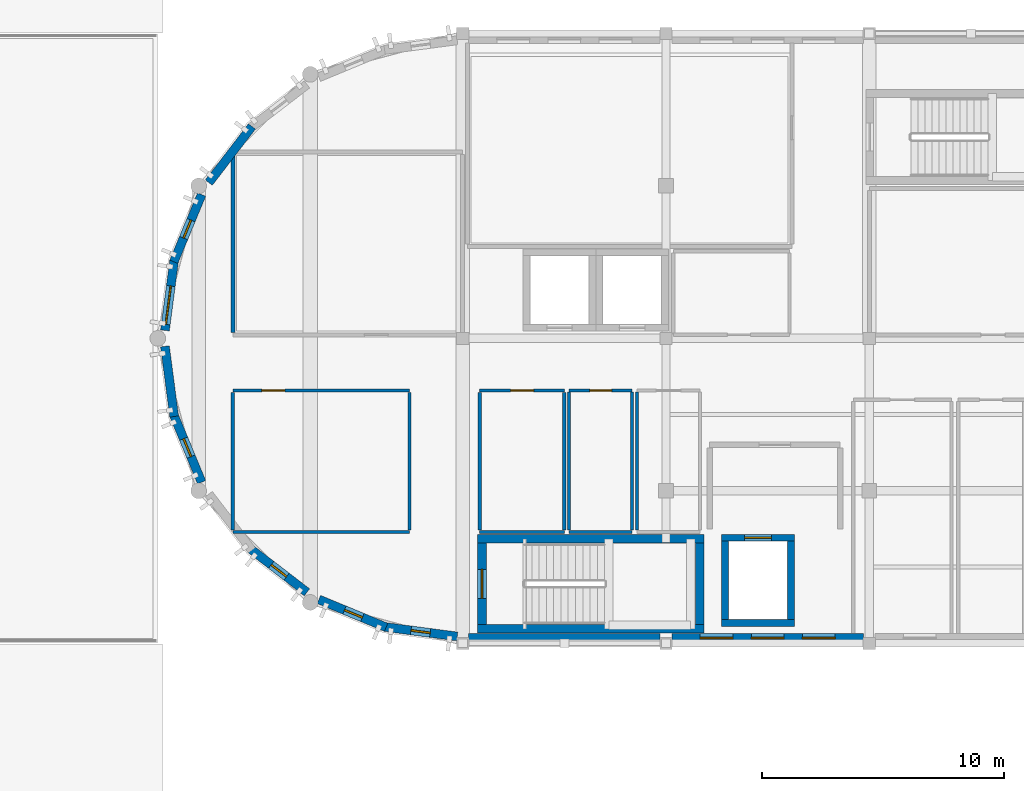
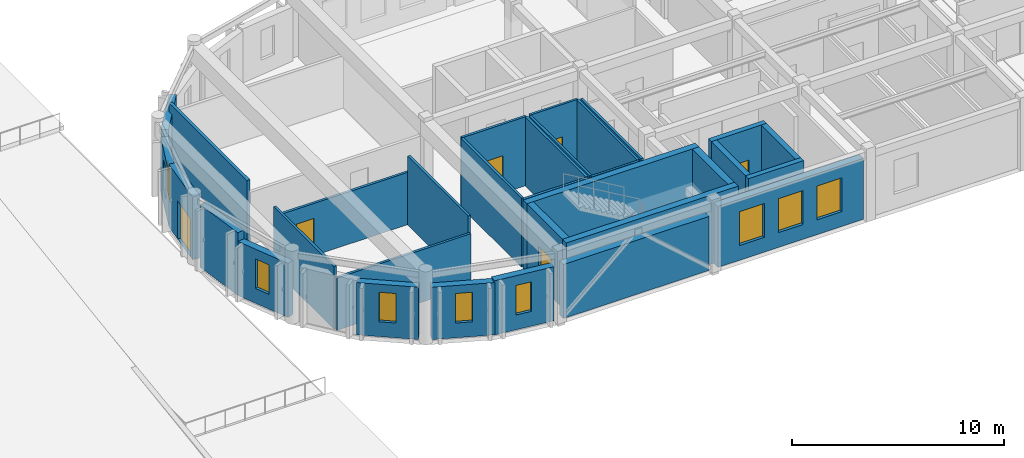
# One storey, part 3 of 12: 32 walls, 8 windows, 6 doors, 14 openings.
"""IFC4 building model written with IfcOpenShell, lengths in metres."""

from ifc_helpers import new_model, si_unit, direction, frame, frame_2d, origin, place, context, subcontext, project, spatial, rectangle, extrude, material, layer, layer_set, type_object, element, fill, save


model = new_model("IFC4")

# Units and contexts
model_context = context("Model", 3, precision=1e-05, world=origin(), true_north=direction((0.0, 1.0)))
body_context = subcontext(model_context, "Body", "Model", "MODEL_VIEW")
ifc_project = project(units=[si_unit("LENGTHUNIT", "METRE"), si_unit("AREAUNIT", "SQUARE_METRE"), si_unit("VOLUMEUNIT", "CUBIC_METRE"), si_unit("PLANEANGLEUNIT", "RADIAN"), si_unit("MASSUNIT", "GRAM", prefix="KILO")], contexts=[model_context])

# Site, building, storey
site_placement = place(None, origin())
site = spatial("IfcSite", under=ifc_project, at=site_placement, CompositionType="ELEMENT")
building_placement = place(site_placement, origin())
building = spatial("IfcBuilding", under=site, at=building_placement, Name="Tarnavel Promenade Courthouse", CompositionType="ELEMENT")
storey_placement = place(building_placement, frame((0.0, 0.0, 27.0)))
storey = spatial("IfcBuildingStorey", under=building, at=storey_placement, Name="L07", CompositionType="ELEMENT", Elevation=27.0)

# Wall
ifc_material_1 = material(Name="Acoustic Insulated Gypsum Stud Partition", Category="gypsum")
ifc_layer_1 = layer(ifc_material_1, 0.1650390625)
ifc_layer_set_1 = layer_set([ifc_layer_1], Name="Acoustic Insulated Gypsum Stud Partition")
wall_type_1 = type_object("IfcWallType", Name="Acoustic Insulated Gypsum Stud Partition WL-CHM-165 (165 mm)", PredefinedType="PARTITIONING", material=ifc_layer_set_1)
wall_1_placement = place(storey_placement, frame((49.300048828125, 92.04248046875, 0.0), z_axis=(0.0, 0.0, 1.0), x_axis=(0.0, 1.0, 0.0)))
element("IfcWall", 1, at=wall_1_placement, inside=storey, type_object=wall_type_1, Name="L07 L07 West Drum Rotunda Chambers North Partition 0900", PredefinedType="PARTITIONING", context=body_context, shape_type="SweptSolid", body=[
    extrude(rectangle(XDim=7.364990234375, YDim=0.1650390625, at=frame_2d((3.6826171875, 0.0))), origin(), (0.0, 0.0, 1.0), 3.610107421875),
])

# Wall, opening, door
ifc_material_2 = material(Name="Concrete C40/50", Category="concrete")
ifc_layer_2 = layer(ifc_material_2, 0.280029296875)
ifc_layer_set_2 = layer_set([ifc_layer_2], Name="Concrete C40/50")
wall_type_2 = type_object("IfcWallType", Name="Concrete C40/50 WL-SHR-280 (280 mm)", PredefinedType="SHEAR", material=ifc_layer_set_2)
wall_2_placement = place(storey_placement, frame((69.5, 83.56005859375, 0.0), z_axis=(0.0, 0.0, 1.0), x_axis=(1.0, 0.0, 0.0)))
wall_2 = element("IfcWall", 2, at=wall_2_placement, inside=storey, type_object=wall_type_2, Name="L07 L-FF1 Lift Shaft North Wall", PredefinedType="SHEAR", context=body_context, shape_type="SweptSolid", body=[
    extrude(rectangle(XDim=3.0, YDim=0.280029296875, at=frame_2d((1.5, 0.0))), origin(), (0.0, 0.0, 1.0), 3.97998046875),
])
opening_1_placement = place(wall_2_placement, frame((0.949951171875, 0.0, 0.0)))
opening_1 = element("IfcOpeningElement", 3, at=opening_1_placement, cuts=wall_2, Name="Opening LD-01", PredefinedType="OPENING", context=body_context, shape_type="SweptSolid", body=[
    extrude(rectangle(XDim=1.10009765625, YDim=2.199951171875, at=frame_2d((0.550048828125, 1.10009765625))), frame((0.0, 0.14990234375, 0.0), z_axis=(0.0, -1.0, 0.0), x_axis=(1.0, 0.0, 0.0)), (0.0, 0.0, 1.0), 0.300048828125),
])
ifc_material_3 = material(Name="Stainless Steel Firefighting Lift Landing Sliding Door", Category="steel")
door_type_1 = type_object("IfcDoorType", Name="Stainless Steel Firefighting Lift Landing Sliding Door (LD-FF-1100x2200)", OperationType="NOTDEFINED", PredefinedType="DOOR", material=ifc_material_3)
door_1_placement = place(opening_1_placement, origin())
door_1 = element("IfcDoor", 4, at=door_1_placement, inside=storey, type_object=door_type_1, Name="L07 L-FF1 Lift Sliding Landing Door", OperationType="DOUBLE_DOOR_SLIDING", OverallHeight=2.199951171875, OverallWidth=1.10009765625, PredefinedType="DOOR", context=body_context, shape_type="SweptSolid", body=[
    extrude(rectangle(XDim=1.10009765625, YDim=2.199951171875, at=frame_2d((0.550048828125, 1.10009765625))), frame((0.0, 0.02490234375, 0.0), z_axis=(0.0, -1.0, 0.0), x_axis=(1.0, 0.0, 0.0)), (0.0, 0.0, 1.0), 0.050048828125),
])
fill(opening_1, door_1)

# Walls
wall_3_placement = place(storey_placement, frame((72.5, 80.0400390625, 0.0), z_axis=(0.0, 0.0, 1.0), x_axis=(-1.0, 0.0, 0.0)))
element("IfcWall", 5, at=wall_3_placement, inside=storey, type_object=wall_type_2, Name="L07 L-FF1 Lift Shaft South Wall", PredefinedType="SHEAR", context=body_context, shape_type="SweptSolid", body=[
    extrude(rectangle(XDim=3.0, YDim=0.280029296875, at=frame_2d((1.5, 0.0))), origin(), (0.0, 0.0, 1.0), 3.97998046875),
])
for number, where, z_axis, x_axis, name in (
    (6, (69.639892578125, 80.179931640625, 0.0), (0.0, 0.0, 1.0), (0.0, 1.0, 0.0), "L07 L-FF1 Lift Shaft West Wall"),
    (7, (72.360107421875, 83.419921875, 0.0), (0.0, 0.0, 1.0), (0.0, -1.0, 0.0), "L07 L-FF1 Lift Shaft East Wall"),
):
    element("IfcWall", number, at=place(storey_placement, frame(where, z_axis=z_axis, x_axis=x_axis)), inside=storey, type_object=wall_type_2, Name=name, PredefinedType="SHEAR", context=body_context, shape_type="SweptSolid", body=[
        extrude(rectangle(XDim=3.239990234375, YDim=0.280029296875, at=frame_2d((1.6201171875, 0.0))), origin(), (0.0, 0.0, 1.0), 3.97998046875),
    ])
ifc_layer_3 = layer(ifc_material_2, 0.360107421875)
ifc_layer_set_3 = layer_set([ifc_layer_3], Name="Concrete C40/50")
wall_type_3 = type_object("IfcWallType", Name="Concrete C40/50 WL-SHR-360 (360 mm)", PredefinedType="SHEAR", material=ifc_layer_set_3)
for number, where, z_axis, x_axis, name in (
    (8, (59.419921875, 83.52001953125, 0.0), (0.0, 0.0, 1.0), (1.0, 0.0, 0.0), "L07 ST-01 Shear Core North Wall"),
    (9, (68.780029296875, 79.800048828125, 0.0), (0.0, 0.0, 1.0), (-1.0, 0.0, 0.0), "L07 ST-01 Shear Core South Wall"),
):
    element("IfcWall", number, at=place(storey_placement, frame(where, z_axis=z_axis, x_axis=x_axis)), inside=storey, type_object=wall_type_3, Name=name, PredefinedType="SHEAR", context=body_context, shape_type="SweptSolid", body=[
        extrude(rectangle(XDim=9.360107421875, YDim=0.360107421875, at=frame_2d((4.68017578125, 0.0))), origin(), (0.0, 0.0, 1.0), 3.97998046875),
    ])

# Wall, opening, door
wall_4_placement = place(storey_placement, frame((59.60009765625, 79.97998046875, 0.0), z_axis=(0.0, 0.0, 1.0), x_axis=(0.0, 1.0, 0.0)))
wall_4 = element("IfcWall", 10, at=wall_4_placement, inside=storey, type_object=wall_type_3, Name="L07 ST-01 Shear Core West Landing Wall", PredefinedType="SHEAR", context=body_context, shape_type="SweptSolid", body=[
    extrude(rectangle(XDim=3.360107421875, YDim=0.360107421875, at=frame_2d((1.68017578125, 0.0))), origin(), (0.0, 0.0, 1.0), 3.97998046875),
])
opening_2_placement = place(wall_4_placement, frame((1.080078125, 0.0, 0.0)))
opening_2 = element("IfcOpeningElement", 11, at=opening_2_placement, cuts=wall_4, Name="Opening FD-02", PredefinedType="OPENING", context=body_context, shape_type="SweptSolid", body=[
    extrude(rectangle(XDim=1.199951171875, YDim=2.199951171875, at=frame_2d((0.60009765625, 1.10009765625))), frame((0.0, 0.18994140625, 0.0), z_axis=(0.0, -1.0, 0.0), x_axis=(1.0, 0.0, 0.0)), (0.0, 0.0, 1.0), 0.380126953125),
])
ifc_material_4 = material(Name="Steel Fire-Rated Firefighting Stair Door", Category="steel")
door_type_2 = type_object("IfcDoorType", Name="Steel Fire-Rated Firefighting Stair Door (DR-ST-1200x2200)", OperationType="NOTDEFINED", PredefinedType="DOOR", material=ifc_material_4)
door_2_placement = place(opening_2_placement, origin())
door_2 = element("IfcDoor", 12, at=door_2_placement, inside=storey, type_object=door_type_2, Name="L07 ST-01 Protected Exit Stair Door", OperationType="SINGLE_SWING_LEFT", OverallHeight=2.199951171875, OverallWidth=1.199951171875, PredefinedType="DOOR", context=body_context, shape_type="SweptSolid", body=[
    extrude(rectangle(XDim=1.199951171875, YDim=2.199951171875, at=frame_2d((0.60009765625, 1.10009765625))), frame((0.0, 0.02490234375, 0.0), z_axis=(0.0, -1.0, 0.0), x_axis=(1.0, 0.0, 0.0)), (0.0, 0.0, 1.0), 0.050048828125),
])
fill(opening_2, door_2)

# Walls
wall_5_placement = place(storey_placement, frame((68.60009765625, 83.340087890625, 0.0), z_axis=(0.0, 0.0, 1.0), x_axis=(0.0, -1.0, 0.0)))
element("IfcWall", 13, at=wall_5_placement, inside=storey, type_object=wall_type_3, Name="L07 ST-01 Shear Core East Wall", PredefinedType="SHEAR", context=body_context, shape_type="SweptSolid", body=[
    extrude(rectangle(XDim=3.360107421875, YDim=0.360107421875, at=frame_2d((1.68017578125, 0.0))), origin(), (0.0, 0.0, 1.0), 3.97998046875),
])
ifc_material_5 = material(Name="Cream Brick Insulated Cavity Facade Assembly", Category="masonry")
ifc_layer_4 = layer(ifc_material_5, 0.3798828125)
ifc_layer_set_4 = layer_set([ifc_layer_4], Name="Cream Brick Insulated Cavity Facade Assembly")
wall_type_4 = type_object("IfcWallType", Name="Cream Brick Insulated Cavity Facade Assembly WL-EXT-380 (380 mm)", PredefinedType="STANDARD", material=ifc_layer_set_4)
wall_6_placement = place(storey_placement, frame((66.9580078125, 79.419921875, 0.0), z_axis=(0.0, 0.0, 1.0), x_axis=(-1.0, 0.0, 0.0)))
element("IfcWall", 14, at=wall_6_placement, inside=storey, type_object=wall_type_4, Name="L07 Bar South Limestone Facade 0175", PredefinedType="STANDARD", context=body_context, shape_type="SweptSolid", body=[
    extrude(rectangle(XDim=7.9208984375, YDim=0.3798828125, at=frame_2d((3.96044921875, 0.0))), origin(), (0.0, 0.0, 1.0), 3.110107421875),
])

# Wall, openings, windows
wall_7_placement = place(storey_placement, frame((75.35791015625, 79.419921875, 0.0), z_axis=(0.0, 0.0, 1.0), x_axis=(-1.0, 0.0, 0.0)))
wall_7 = element("IfcWall", 15, at=wall_7_placement, inside=storey, type_object=wall_type_4, Name="L07 Bar South Limestone Facade 0176", PredefinedType="STANDARD", context=body_context, shape_type="SweptSolid", body=[
    extrude(rectangle(XDim=7.916015625, YDim=0.3798828125, at=frame_2d((3.9580078125, 0.0))), origin(), (0.0, 0.0, 1.0), 3.510009765625),
])
opening_3_placement = place(wall_7_placement, frame((1.169677734375, 0.0, 0.85009765625)))
opening_3 = element("IfcOpeningElement", 16, at=opening_3_placement, cuts=wall_7, Name="Opening W-04", PredefinedType="OPENING", context=body_context, shape_type="SweptSolid", body=[
    extrude(rectangle(XDim=1.35009765625, YDim=1.949951171875, at=frame_2d((0.675048828125, 0.97509765625))), frame((0.0, 0.199951171875, 0.0), z_axis=(0.0, -1.0, 0.0), x_axis=(1.0, 0.0, 0.0)), (0.0, 0.0, 1.0), 0.39990234375),
])
opening_4_placement = place(wall_7_placement, frame((3.282958984375, 0.0, 0.85009765625)))
opening_4 = element("IfcOpeningElement", 17, at=opening_4_placement, cuts=wall_7, Name="Opening W-04", PredefinedType="OPENING", context=body_context, shape_type="SweptSolid", body=[
    extrude(rectangle(XDim=1.35009765625, YDim=1.949951171875, at=frame_2d((0.675048828125, 0.97509765625))), frame((0.0, 0.199951171875, 0.0), z_axis=(0.0, -1.0, 0.0), x_axis=(1.0, 0.0, 0.0)), (0.0, 0.0, 1.0), 0.39990234375),
])
opening_5_placement = place(wall_7_placement, frame((5.396240234375, 0.0, 0.85009765625)))
opening_5 = element("IfcOpeningElement", 18, at=opening_5_placement, cuts=wall_7, Name="Opening W-04", PredefinedType="OPENING", context=body_context, shape_type="SweptSolid", body=[
    extrude(rectangle(XDim=1.35009765625, YDim=1.949951171875, at=frame_2d((0.675048828125, 0.97509765625))), frame((0.0, 0.199951171875, 0.0), z_axis=(0.0, -1.0, 0.0), x_axis=(1.0, 0.0, 0.0)), (0.0, 0.0, 1.0), 0.39990234375),
])
ifc_material_6 = material(Name="Triple Low-E Glazed Bronze-Clad Window Assembly")
window_type_1 = type_object("IfcWindowType", Name="Triple-Glazed Bronze-Clad Timber-Aluminium WIN-CHM-1350x1950", PartitioningType="SINGLE_PANEL", PredefinedType="WINDOW", material=ifc_material_6)
window_1_placement = place(opening_3_placement, origin())
window_1 = element("IfcWindow", 19, at=window_1_placement, inside=storey, type_object=window_type_1, Name="L07 Exterior Window 0143", OverallHeight=1.949951171875, OverallWidth=1.35009765625, PartitioningType="SINGLE_PANEL", PredefinedType="WINDOW", context=body_context, shape_type="SweptSolid", body=[
    extrude(rectangle(XDim=1.35009765625, YDim=1.949951171875, at=frame_2d((0.675048828125, 0.97509765625))), frame((0.0, 0.030029296875, 0.0), z_axis=(0.0, -1.0, 0.0), x_axis=(1.0, 0.0, 0.0)), (0.0, 0.0, 1.0), 0.06005859375),
])
fill(opening_3, window_1)
window_2_placement = place(opening_4_placement, origin())
window_2 = element("IfcWindow", 20, at=window_2_placement, inside=storey, type_object=window_type_1, Name="L07 Exterior Window 0144", OverallHeight=1.949951171875, OverallWidth=1.35009765625, PartitioningType="SINGLE_PANEL", PredefinedType="WINDOW", context=body_context, shape_type="SweptSolid", body=[
    extrude(rectangle(XDim=1.35009765625, YDim=1.949951171875, at=frame_2d((0.675048828125, 0.97509765625))), frame((0.0, 0.030029296875, 0.0), z_axis=(0.0, -1.0, 0.0), x_axis=(1.0, 0.0, 0.0)), (0.0, 0.0, 1.0), 0.06005859375),
])
fill(opening_4, window_2)
window_3_placement = place(opening_5_placement, origin())
window_3 = element("IfcWindow", 21, at=window_3_placement, inside=storey, type_object=window_type_1, Name="L07 Exterior Window 0145", OverallHeight=1.949951171875, OverallWidth=1.35009765625, PartitioningType="SINGLE_PANEL", PredefinedType="WINDOW", context=body_context, shape_type="SweptSolid", body=[
    extrude(rectangle(XDim=1.35009765625, YDim=1.949951171875, at=frame_2d((0.675048828125, 0.97509765625))), frame((0.0, 0.030029296875, 0.0), z_axis=(0.0, -1.0, 0.0), x_axis=(1.0, 0.0, 0.0)), (0.0, 0.0, 1.0), 0.06005859375),
])
fill(opening_5, window_3)

# Wall, opening, door
ifc_material_7 = material(Name="Metal-Stud Acoustic Gypsum Partition", Category="gypsum")
ifc_layer_5 = layer(ifc_material_7, 0.135009765625)
ifc_layer_set_5 = layer_set([ifc_layer_5], Name="Metal-Stud Acoustic Gypsum Partition")
wall_type_5 = type_object("IfcWallType", Name="Metal-Stud Acoustic Gypsum Partition WL-OFF-135 (135 mm)", PredefinedType="PARTITIONING", material=ifc_layer_set_5)
wall_8_placement = place(storey_placement, frame((59.5, 89.64990234375, 0.0), z_axis=(0.0, 0.0, 1.0), x_axis=(1.0, 0.0, 0.0)))
wall_8 = element("IfcWall", 22, at=wall_8_placement, inside=storey, type_object=wall_type_5, Name="L07 L07 Bailiffs' Duty Room Partition 0864", PredefinedType="PARTITIONING", context=body_context, shape_type="SweptSolid", body=[
    extrude(rectangle(XDim=3.5, YDim=0.135009765625, at=frame_2d((1.75, 0.0))), origin(), (0.0, 0.0, 1.0), 3.965087890625),
])
opening_6_placement = place(wall_8_placement, frame((1.27490234375, 0.0, 0.0)))
opening_6 = element("IfcOpeningElement", 23, at=opening_6_placement, cuts=wall_8, Name="Opening ID-06", PredefinedType="OPENING", context=body_context, shape_type="SweptSolid", body=[
    extrude(rectangle(XDim=0.949951171875, YDim=2.14990234375, at=frame_2d((0.47509765625, 1.074951171875))), frame((0.0, 0.077392578125, 0.0), z_axis=(0.0, -1.0, 0.0), x_axis=(1.0, 0.0, 0.0)), (0.0, 0.0, 1.0), 0.155029296875),
])
ifc_material_8 = material(Name="Acoustic Timber Veneer Office Door", Category="wood")
door_type_3 = type_object("IfcDoorType", Name="Acoustic Timber Veneer Office Door (DR-OFF-0950x2150)", OperationType="NOTDEFINED", PredefinedType="DOOR", material=ifc_material_8)
door_3_placement = place(opening_6_placement, origin())
door_3 = element("IfcDoor", 24, at=door_3_placement, inside=storey, type_object=door_type_3, Name="L07 L07 Bailiffs' Duty Room Door 0247", OperationType="SINGLE_SWING_RIGHT", OverallHeight=2.14990234375, OverallWidth=0.949951171875, PredefinedType="DOOR", context=body_context, shape_type="SweptSolid", body=[
    extrude(rectangle(XDim=0.949951171875, YDim=2.14990234375, at=frame_2d((0.47509765625, 1.074951171875))), frame((0.0, 0.02490234375, 0.0), z_axis=(0.0, -1.0, 0.0), x_axis=(1.0, 0.0, 0.0)), (0.0, 0.0, 1.0), 0.050048828125),
])
fill(opening_6, door_3)

# Walls
wall_9_placement = place(storey_placement, frame((63.0, 83.800048828125, 0.0), z_axis=(0.0, 0.0, 1.0), x_axis=(-1.0, 0.0, 0.0)))
element("IfcWall", 25, at=wall_9_placement, inside=storey, type_object=wall_type_5, Name="L07 L07 Bailiffs' Duty Room Partition 0865", PredefinedType="PARTITIONING", context=body_context, shape_type="SweptSolid", body=[
    extrude(rectangle(XDim=3.5, YDim=0.135009765625, at=frame_2d((1.75, 0.0))), origin(), (0.0, 0.0, 1.0), 3.965087890625),
])
for number, where, z_axis, x_axis, name in (
    (26, (59.5, 83.87744140625, 0.0), (0.0, 0.0, 1.0), (0.0, 1.0, 0.0), "L07 L07 Bailiffs' Duty Room Partition 0866"),
    (27, (63.0, 89.572509765625, 0.0), (0.0, 0.0, 1.0), (0.0, -1.0, 0.0), "L07 L07 Bailiffs' Duty Room Partition 0867"),
):
    element("IfcWall", number, at=place(storey_placement, frame(where, z_axis=z_axis, x_axis=x_axis)), inside=storey, type_object=wall_type_5, Name=name, PredefinedType="PARTITIONING", context=body_context, shape_type="SweptSolid", body=[
        extrude(rectangle(XDim=5.695068359375, YDim=0.135009765625, at=frame_2d((2.84765625, 0.0))), origin(), (0.0, 0.0, 1.0), 3.965087890625),
    ])

# Wall, opening, door
wall_10_placement = place(storey_placement, frame((49.300048828125, 89.64990234375, 0.0), z_axis=(0.0, 0.0, 1.0), x_axis=(1.0, 0.0, 0.0)))
wall_10 = element("IfcWall", 28, at=wall_10_placement, inside=storey, type_object=wall_type_5, Name="L07 L07 West Drum Rotunda Salon South Partition 0902", PredefinedType="PARTITIONING", context=body_context, shape_type="SweptSolid", body=[
    extrude(rectangle(XDim=7.300048828125, YDim=0.135009765625, at=frame_2d((3.64990234375, 0.0))), origin(), (0.0, 0.0, 1.0), 3.010009765625),
])
opening_7_placement = place(wall_10_placement, frame((1.197509765625, 0.0, 0.0)))
opening_7 = element("IfcOpeningElement", 29, at=opening_7_placement, cuts=wall_10, Name="Opening ID-06", PredefinedType="OPENING", context=body_context, shape_type="SweptSolid", body=[
    extrude(rectangle(XDim=0.949951171875, YDim=2.14990234375, at=frame_2d((0.47509765625, 1.074951171875))), frame((0.0, 0.077392578125, 0.0), z_axis=(0.0, -1.0, 0.0), x_axis=(1.0, 0.0, 0.0)), (0.0, 0.0, 1.0), 0.155029296875),
])
door_4_placement = place(opening_7_placement, origin())
door_4 = element("IfcDoor", 30, at=door_4_placement, inside=storey, type_object=door_type_3, Name="L07 L07 West Drum Rotunda Salon South Door 0258", OperationType="SINGLE_SWING_LEFT", OverallHeight=2.14990234375, OverallWidth=0.949951171875, PredefinedType="DOOR", context=body_context, shape_type="SweptSolid", body=[
    extrude(rectangle(XDim=0.949951171875, YDim=2.14990234375, at=frame_2d((0.47509765625, 1.074951171875))), frame((0.0, 0.02490234375, 0.0), z_axis=(0.0, -1.0, 0.0), x_axis=(1.0, 0.0, 0.0)), (0.0, 0.0, 1.0), 0.050048828125),
])
fill(opening_7, door_4)

# Walls
wall_11_placement = place(storey_placement, frame((56.60009765625, 83.800048828125, 0.0), z_axis=(0.0, 0.0, 1.0), x_axis=(-1.0, 0.0, 0.0)))
element("IfcWall", 31, at=wall_11_placement, inside=storey, type_object=wall_type_5, Name="L07 L07 West Drum Rotunda Salon South Partition 0903", PredefinedType="PARTITIONING", context=body_context, shape_type="SweptSolid", body=[
    extrude(rectangle(XDim=7.300048828125, YDim=0.135009765625, at=frame_2d((3.64990234375, 0.0))), origin(), (0.0, 0.0, 1.0), 3.010009765625),
])
wall_12_placement = place(storey_placement, frame((49.300048828125, 83.87744140625, 0.0), z_axis=(0.0, 0.0, 1.0), x_axis=(0.0, 1.0, 0.0)))
element("IfcWall", 32, at=wall_12_placement, inside=storey, type_object=wall_type_5, Name="L07 L07 West Drum Rotunda Salon South Partition 0904", PredefinedType="PARTITIONING", context=body_context, shape_type="SweptSolid", body=[
    extrude(rectangle(XDim=5.695068359375, YDim=0.135009765625, at=frame_2d((2.84765625, 0.0))), origin(), (0.0, 0.0, 1.0), 3.610107421875),
])
wall_13_placement = place(storey_placement, frame((56.60009765625, 89.572509765625, 0.0), z_axis=(0.0, 0.0, 1.0), x_axis=(0.0, -1.0, 0.0)))
element("IfcWall", 33, at=wall_13_placement, inside=storey, type_object=wall_type_5, Name="L07 L07 West Drum Rotunda Salon South Partition 0905", PredefinedType="PARTITIONING", context=body_context, shape_type="SweptSolid", body=[
    extrude(rectangle(XDim=5.695068359375, YDim=0.135009765625, at=frame_2d((2.84765625, 0.0))), origin(), (0.0, 0.0, 1.0), 3.965087890625),
])

# Wall, opening, door
ifc_material_9 = material(Name="Moisture-Resistant Tile-Backed Stud Partition", Category="gypsum")
ifc_layer_6 = layer(ifc_material_9, 0.125)
ifc_layer_set_6 = layer_set([ifc_layer_6], Name="Moisture-Resistant Tile-Backed Stud Partition")
wall_type_6 = type_object("IfcWallType", Name="Moisture-Resistant Tile-Backed Stud Partition WL-WET-125 (125 mm)", PredefinedType="PARTITIONING", material=ifc_layer_set_6)
wall_14_placement = place(storey_placement, frame((63.199951171875, 89.64990234375, 0.0), z_axis=(0.0, 0.0, 1.0), x_axis=(1.0, 0.0, 0.0)))
wall_14 = element("IfcWall", 34, at=wall_14_placement, inside=storey, type_object=wall_type_6, Name="L07 Public WC Partition 0848", PredefinedType="PARTITIONING", context=body_context, shape_type="SweptSolid", body=[
    extrude(rectangle(XDim=2.60009765625, YDim=0.125, at=frame_2d((1.300048828125, 0.0))), origin(), (0.0, 0.0, 1.0), 3.965087890625),
])
opening_8_placement = place(wall_14_placement, frame((0.85009765625, 0.0, 0.0)))
opening_8 = element("IfcOpeningElement", 35, at=opening_8_placement, cuts=wall_14, Name="Opening ID-08", PredefinedType="OPENING", context=body_context, shape_type="SweptSolid", body=[
    extrude(rectangle(XDim=0.89990234375, YDim=2.10009765625, at=frame_2d((0.449951171875, 1.050048828125))), frame((0.0, 0.072509765625, 0.0), z_axis=(0.0, -1.0, 0.0), x_axis=(1.0, 0.0, 0.0)), (0.0, 0.0, 1.0), 0.14501953125),
])
ifc_material_10 = material(Name="Moisture-Resistant Laminate Restroom Door")
door_type_4 = type_object("IfcDoorType", Name="Moisture-Resistant Laminate Restroom Door (DR-WC-0900x2100)", OperationType="NOTDEFINED", PredefinedType="DOOR", material=ifc_material_10)
door_5_placement = place(opening_8_placement, origin())
door_5 = element("IfcDoor", 36, at=door_5_placement, inside=storey, type_object=door_type_4, Name="L07 Public WC Door 0243", OperationType="SINGLE_SWING_RIGHT", OverallHeight=2.10009765625, OverallWidth=0.89990234375, PredefinedType="DOOR", context=body_context, shape_type="SweptSolid", body=[
    extrude(rectangle(XDim=0.89990234375, YDim=2.10009765625, at=frame_2d((0.449951171875, 1.050048828125))), frame((0.0, 0.02490234375, 0.0), z_axis=(0.0, -1.0, 0.0), x_axis=(1.0, 0.0, 0.0)), (0.0, 0.0, 1.0), 0.050048828125),
])
fill(opening_8, door_5)

# Walls
wall_15_placement = place(storey_placement, frame((65.800048828125, 83.800048828125, 0.0), z_axis=(0.0, 0.0, 1.0), x_axis=(-1.0, 0.0, 0.0)))
element("IfcWall", 37, at=wall_15_placement, inside=storey, type_object=wall_type_6, Name="L07 Public WC Partition 0849", PredefinedType="PARTITIONING", context=body_context, shape_type="SweptSolid", body=[
    extrude(rectangle(XDim=2.60009765625, YDim=0.125, at=frame_2d((1.300048828125, 0.0))), origin(), (0.0, 0.0, 1.0), 3.965087890625),
])
for number, where, z_axis, x_axis, name in (
    (38, (63.199951171875, 83.87255859375, 0.0), (0.0, 0.0, 1.0), (0.0, 1.0, 0.0), "L07 Public WC Partition 0850"),
    (39, (65.800048828125, 89.577392578125, 0.0), (0.0, 0.0, 1.0), (0.0, -1.0, 0.0), "L07 Public WC Partition 0851"),
    (40, (66.0, 83.87255859375, 0.0), (0.0, 0.0, 1.0), (0.0, 1.0, 0.0), "L07 Accessible WC Partition 0854"),
):
    element("IfcWall", number, at=place(storey_placement, frame(where, z_axis=z_axis, x_axis=x_axis)), inside=storey, type_object=wall_type_6, Name=name, PredefinedType="PARTITIONING", context=body_context, shape_type="SweptSolid", body=[
        extrude(rectangle(XDim=5.704833984375, YDim=0.125, at=frame_2d((2.8525390625, 0.0))), origin(), (0.0, 0.0, 1.0), 3.965087890625),
    ])
ifc_material_11 = material(Name="Patinated Copper-Bronze Insulated Drum Wall Assembly", Category="masonry")
ifc_layer_7 = layer(ifc_material_11, 0.364990234375)
ifc_layer_set_7 = layer_set([ifc_layer_7], Name="Patinated Copper-Bronze Insulated Drum Wall Assembly")
wall_type_7 = type_object("IfcWallType", Name="Patinated Copper-Bronze Insulated Drum Wall Assembly WL-DRUM-365 (365 mm)", PredefinedType="ELEMENTEDWALL", material=ifc_layer_set_7)
wall_16_placement = place(storey_placement, frame((50.0888671875, 100.557373046875, 0.0), z_axis=(0.0, 0.0, 1.0), x_axis=(-0.60876624393, -0.793349645649, 0.0)))
element("IfcWall", 41, at=wall_16_placement, inside=storey, type_object=wall_type_7, Name="L07 W Copper Drum Chord Wall 04 0183", PredefinedType="ELEMENTEDWALL", context=body_context, shape_type="SweptSolid", body=[
    extrude(rectangle(XDim=2.92431640625, YDim=0.364990234375, at=frame_2d((1.462158203125, 0.0))), origin(), (0.0, 0.0, 1.0), 3.110107421875),
])

# Wall, opening, window
wall_17_placement = place(storey_placement, frame((48.01123046875, 97.743896484375, 0.0), z_axis=(0.0, 0.0, 1.0), x_axis=(-0.382700732442, -0.923872366395, 0.0)))
wall_17 = element("IfcWall", 42, at=wall_17_placement, inside=storey, type_object=wall_type_7, Name="L07 W Copper Drum Chord Wall 05 0184", PredefinedType="ELEMENTEDWALL", context=body_context, shape_type="SweptSolid", body=[
    extrude(rectangle(XDim=3.00732421875, YDim=0.364990234375, at=frame_2d((1.503662109375, 0.0))), origin(), (0.0, 0.0, 1.0), 3.110107421875),
])
opening_9_placement = place(wall_17_placement, frame((1.14501953125, 0.0, 0.85009765625)))
opening_9 = element("IfcOpeningElement", 43, at=opening_9_placement, cuts=wall_17, Name="Opening W-09", PredefinedType="OPENING", context=body_context, shape_type="SweptSolid", body=[
    extrude(rectangle(XDim=0.800048828125, YDim=1.699951171875, at=frame_2d((0.39990234375, 0.85009765625))), frame((0.0, 0.1923828125, 0.0), z_axis=(0.0, -1.0, 0.0), x_axis=(1.0, 0.0, 0.0)), (0.0, 0.0, 1.0), 0.385009765625),
])
window_type_2 = type_object("IfcWindowType", Name="Triple-Glazed Bronze-Clad Timber-Aluminium WIN-DRM-0800x1700", PartitioningType="SINGLE_PANEL", PredefinedType="WINDOW", material=ifc_material_6)
window_4_placement = place(opening_9_placement, origin())
window_4 = element("IfcWindow", 44, at=window_4_placement, inside=storey, type_object=window_type_2, Name="L07 Exterior Window 0153", OverallHeight=1.699951171875, OverallWidth=0.800048828125, PartitioningType="SINGLE_PANEL", PredefinedType="WINDOW", context=body_context, shape_type="SweptSolid", body=[
    extrude(rectangle(XDim=0.800048828125, YDim=1.699951171875, at=frame_2d((0.39990234375, 0.85009765625))), frame((0.0, 0.030029296875, 0.0), z_axis=(0.0, -1.0, 0.0), x_axis=(1.0, 0.0, 0.0)), (0.0, 0.0, 1.0), 0.06005859375),
])
fill(opening_9, window_4)

# Wall, opening, door
wall_18_placement = place(storey_placement, frame((46.877197265625, 95.028564453125, 0.0), z_axis=(0.0, 0.0, 1.0), x_axis=(-0.130484746162, -0.99145031697, 0.0)))
wall_18 = element("IfcWall", 45, at=wall_18_placement, inside=storey, type_object=wall_type_7, Name="L07 W Copper Drum Chord Wall 06 0185", PredefinedType="ELEMENTEDWALL", context=body_context, shape_type="SweptSolid", body=[
    extrude(rectangle(XDim=2.92431640625, YDim=0.364990234375, at=frame_2d((1.462158203125, 0.0))), origin(), (0.0, 0.0, 1.0), 3.610107421875),
])
opening_10_placement = place(wall_18_placement, frame((1.07421875, 0.0, 0.0)))
opening_10 = element("IfcOpeningElement", 46, at=opening_10_placement, cuts=wall_18, Name="Opening ED-06", PredefinedType="OPENING", context=body_context, shape_type="SweptSolid", body=[
    extrude(rectangle(XDim=1.60009765625, YDim=2.199951171875, at=frame_2d((0.800048828125, 1.10009765625))), frame((0.0, 0.1923828125, 0.0), z_axis=(0.0, -1.0, 0.0), x_axis=(1.0, 0.0, 0.0)), (0.0, 0.0, 1.0), 0.385009765625),
])
ifc_material_12 = material(Name="Triple-Glazed Bronze Reading Terrace Door")
door_type_5 = type_object("IfcDoorType", Name="Triple-Glazed Bronze Reading Terrace Door (ED-TER-1600x2200)", OperationType="NOTDEFINED", PredefinedType="DOOR", material=ifc_material_12)
door_6_placement = place(opening_10_placement, origin())
door_6 = element("IfcDoor", 47, at=door_6_placement, inside=storey, type_object=door_type_5, Name="L07 Judicial Roof-Garden Terrace Door", OperationType="DOUBLE_DOOR_SINGLE_SWING", OverallHeight=2.199951171875, OverallWidth=1.60009765625, PredefinedType="DOOR", context=body_context, shape_type="SweptSolid", body=[
    extrude(rectangle(XDim=1.60009765625, YDim=2.199951171875, at=frame_2d((0.800048828125, 1.10009765625))), frame((0.0, 0.02490234375, 0.0), z_axis=(0.0, -1.0, 0.0), x_axis=(1.0, 0.0, 0.0)), (0.0, 0.0, 1.0), 0.050048828125),
])
fill(opening_10, door_6)

# Wall
wall_19_placement = place(storey_placement, frame((46.49560546875, 91.470703125, 0.0), z_axis=(0.0, 0.0, 1.0), x_axis=(0.13049554724, -0.99144889538, 0.0)))
element("IfcWall", 48, at=wall_19_placement, inside=storey, type_object=wall_type_7, Name="L07 W Copper Drum Chord Wall 07 0186", PredefinedType="ELEMENTEDWALL", context=body_context, shape_type="SweptSolid", body=[
    extrude(rectangle(XDim=2.924072265625, YDim=0.364990234375, at=frame_2d((1.4619140625, 0.0))), origin(), (0.0, 0.0, 1.0), 3.610107421875),
])

# Wall, opening, window
wall_20_placement = place(storey_placement, frame((46.8603515625, 88.634521484375, 0.0), z_axis=(0.0, 0.0, 1.0), x_axis=(0.382700732442, -0.923872366395, 0.0)))
wall_20 = element("IfcWall", 49, at=wall_20_placement, inside=storey, type_object=wall_type_7, Name="L07 W Copper Drum Chord Wall 08 0187", PredefinedType="ELEMENTEDWALL", context=body_context, shape_type="SweptSolid", body=[
    extrude(rectangle(XDim=3.00732421875, YDim=0.364990234375, at=frame_2d((1.503662109375, 0.0))), origin(), (0.0, 0.0, 1.0), 3.110107421875),
])
opening_11_placement = place(wall_20_placement, frame((1.06201171875, 0.0, 0.85009765625)))
opening_11 = element("IfcOpeningElement", 50, at=opening_11_placement, cuts=wall_20, Name="Opening W-09", PredefinedType="OPENING", context=body_context, shape_type="SweptSolid", body=[
    extrude(rectangle(XDim=0.800048828125, YDim=1.699951171875, at=frame_2d((0.39990234375, 0.85009765625))), frame((0.0, 0.1923828125, 0.0), z_axis=(0.0, -1.0, 0.0), x_axis=(1.0, 0.0, 0.0)), (0.0, 0.0, 1.0), 0.385009765625),
])
window_5_placement = place(opening_11_placement, origin())
window_5 = element("IfcWindow", 51, at=window_5_placement, inside=storey, type_object=window_type_2, Name="L07 Exterior Window 0154", OverallHeight=1.699951171875, OverallWidth=0.800048828125, PartitioningType="SINGLE_PANEL", PredefinedType="WINDOW", context=body_context, shape_type="SweptSolid", body=[
    extrude(rectangle(XDim=0.800048828125, YDim=1.699951171875, at=frame_2d((0.39990234375, 0.85009765625))), frame((0.0, 0.030029296875, 0.0), z_axis=(0.0, -1.0, 0.0), x_axis=(1.0, 0.0, 0.0)), (0.0, 0.0, 1.0), 0.06005859375),
])
fill(opening_11, window_5)

wall_21_placement = place(storey_placement, frame((50.042724609375, 83.0888671875, 0.0), z_axis=(0.0, 0.0, 1.0), x_axis=(0.793318703663, -0.608806565682, 0.0)))
wall_21 = element("IfcWall", 52, at=wall_21_placement, inside=storey, type_object=wall_type_7, Name="L07 W Copper Drum Chord Wall 10 0189", PredefinedType="ELEMENTEDWALL", context=body_context, shape_type="SweptSolid", body=[
    extrude(rectangle(XDim=2.92431640625, YDim=0.364990234375, at=frame_2d((1.462158203125, 0.0))), origin(), (0.0, 0.0, 1.0), 3.010009765625),
])
opening_12_placement = place(wall_21_placement, frame((1.06201171875, 0.0, 0.85009765625)))
opening_12 = element("IfcOpeningElement", 53, at=opening_12_placement, cuts=wall_21, Name="Opening W-09", PredefinedType="OPENING", context=body_context, shape_type="SweptSolid", body=[
    extrude(rectangle(XDim=0.800048828125, YDim=1.699951171875, at=frame_2d((0.39990234375, 0.85009765625))), frame((0.0, 0.1923828125, 0.0), z_axis=(0.0, -1.0, 0.0), x_axis=(1.0, 0.0, 0.0)), (0.0, 0.0, 1.0), 0.385009765625),
])
window_6_placement = place(opening_12_placement, origin())
window_6 = element("IfcWindow", 54, at=window_6_placement, inside=storey, type_object=window_type_2, Name="L07 Exterior Window 0155", OverallHeight=1.699951171875, OverallWidth=0.800048828125, PartitioningType="SINGLE_PANEL", PredefinedType="WINDOW", context=body_context, shape_type="SweptSolid", body=[
    extrude(rectangle(XDim=0.800048828125, YDim=1.699951171875, at=frame_2d((0.39990234375, 0.85009765625))), frame((0.0, 0.030029296875, 0.0), z_axis=(0.0, -1.0, 0.0), x_axis=(1.0, 0.0, 0.0)), (0.0, 0.0, 1.0), 0.06005859375),
])
fill(opening_12, window_6)

wall_22_placement = place(storey_placement, frame((52.856201171875, 81.01123046875, 0.0), z_axis=(0.0, 0.0, 1.0), x_axis=(0.923872366395, -0.382700732442, 0.0)))
wall_22 = element("IfcWall", 55, at=wall_22_placement, inside=storey, type_object=wall_type_7, Name="L07 W Copper Drum Chord Wall 11 0190", PredefinedType="ELEMENTEDWALL", context=body_context, shape_type="SweptSolid", body=[
    extrude(rectangle(XDim=3.00732421875, YDim=0.364990234375, at=frame_2d((1.503662109375, 0.0))), origin(), (0.0, 0.0, 1.0), 3.010009765625),
])
opening_13_placement = place(wall_22_placement, frame((1.14501953125, 0.0, 0.85009765625)))
opening_13 = element("IfcOpeningElement", 56, at=opening_13_placement, cuts=wall_22, Name="Opening W-09", PredefinedType="OPENING", context=body_context, shape_type="SweptSolid", body=[
    extrude(rectangle(XDim=0.800048828125, YDim=1.699951171875, at=frame_2d((0.39990234375, 0.85009765625))), frame((0.0, 0.1923828125, 0.0), z_axis=(0.0, -1.0, 0.0), x_axis=(1.0, 0.0, 0.0)), (0.0, 0.0, 1.0), 0.385009765625),
])
window_7_placement = place(opening_13_placement, origin())
window_7 = element("IfcWindow", 57, at=window_7_placement, inside=storey, type_object=window_type_2, Name="L07 Exterior Window 0156", OverallHeight=1.699951171875, OverallWidth=0.800048828125, PartitioningType="SINGLE_PANEL", PredefinedType="WINDOW", context=body_context, shape_type="SweptSolid", body=[
    extrude(rectangle(XDim=0.800048828125, YDim=1.699951171875, at=frame_2d((0.39990234375, 0.85009765625))), frame((0.0, 0.030029296875, 0.0), z_axis=(0.0, -1.0, 0.0), x_axis=(1.0, 0.0, 0.0)), (0.0, 0.0, 1.0), 0.06005859375),
])
fill(opening_13, window_7)

wall_23_placement = place(storey_placement, frame((55.571533203125, 79.877197265625, 0.0), z_axis=(0.0, 0.0, 1.0), x_axis=(0.991438641413, -0.130573428817, 0.0)))
wall_23 = element("IfcWall", 58, at=wall_23_placement, inside=storey, type_object=wall_type_7, Name="L07 W Copper Drum Chord Wall 12 0191", PredefinedType="ELEMENTEDWALL", context=body_context, shape_type="SweptSolid", body=[
    extrude(rectangle(XDim=3.027099609375, YDim=0.364990234375, at=frame_2d((1.513671875, 0.0))), origin(), (0.0, 0.0, 1.0), 3.110107421875),
])
opening_14_placement = place(wall_23_placement, frame((1.099609375, 0.0, 0.85009765625)))
opening_14 = element("IfcOpeningElement", 59, at=opening_14_placement, cuts=wall_23, Name="Opening W-09", PredefinedType="OPENING", context=body_context, shape_type="SweptSolid", body=[
    extrude(rectangle(XDim=0.800048828125, YDim=1.699951171875, at=frame_2d((0.39990234375, 0.85009765625))), frame((0.0, 0.1923828125, 0.0), z_axis=(0.0, -1.0, 0.0), x_axis=(1.0, 0.0, 0.0)), (0.0, 0.0, 1.0), 0.385009765625),
])
window_8_placement = place(opening_14_placement, origin())
window_8 = element("IfcWindow", 60, at=window_8_placement, inside=storey, type_object=window_type_2, Name="L07 Exterior Window 0157", OverallHeight=1.699951171875, OverallWidth=0.800048828125, PartitioningType="SINGLE_PANEL", PredefinedType="WINDOW", context=body_context, shape_type="SweptSolid", body=[
    extrude(rectangle(XDim=0.800048828125, YDim=1.699951171875, at=frame_2d((0.39990234375, 0.85009765625))), frame((0.0, 0.030029296875, 0.0), z_axis=(0.0, -1.0, 0.0), x_axis=(1.0, 0.0, 0.0)), (0.0, 0.0, 1.0), 0.06005859375),
])
fill(opening_14, window_8)

save(model, "model.ifc")
